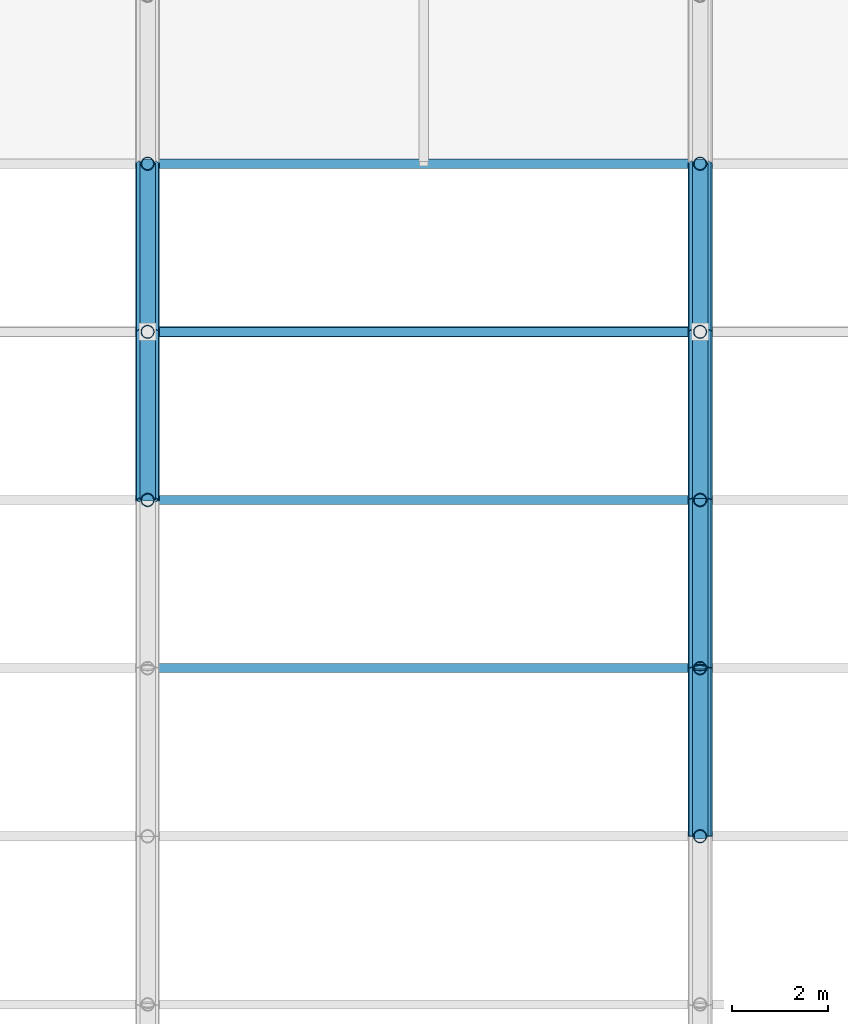
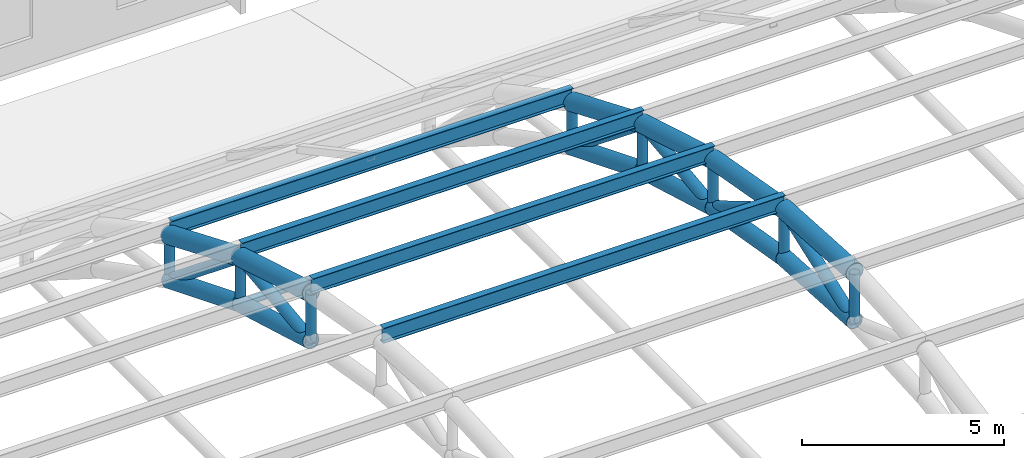
# One storey, part 64 of 154: 31 members.
"""IFC4 building model written with IfcOpenShell, lengths in metres."""

from ifc_helpers import new_model, si_unit, direction, frame, origin, origin_2d, place, context, subcontext, project, spatial, hollow_circle, i_section, extrude, material, material_profile, profile_set, type_object, element, save


model = new_model("IFC4")

# Units and contexts
model_context = context("Model", 3, precision=1e-05, world=origin(), true_north=direction((0.0, 1.0)))
body_context = subcontext(model_context, "Body", "Model", "MODEL_VIEW")
ifc_project = project(units=[si_unit("LENGTHUNIT", "METRE"), si_unit("AREAUNIT", "SQUARE_METRE"), si_unit("VOLUMEUNIT", "CUBIC_METRE"), si_unit("PLANEANGLEUNIT", "RADIAN"), si_unit("MASSUNIT", "GRAM", prefix="KILO")], contexts=[model_context])

# Site, building, storey
site_placement = place(None, origin())
site = spatial("IfcSite", under=ifc_project, at=site_placement, CompositionType="ELEMENT")
building_placement = place(site_placement, origin())
building = spatial("IfcBuilding", under=site, at=building_placement, Name="Ologun Quay Terminus", CompositionType="ELEMENT")
storey_placement = place(building_placement, frame((0.0, 0.0, 13.800048828125)))
storey = spatial("IfcBuildingStorey", under=building, at=storey_placement, Name="L03", CompositionType="ELEMENT", Elevation=13.800048828125)

# Members
ifc_material_1 = material(Name="Steel S355", Category="steel")
ifc_material_profile_1 = material_profile(ifc_material_1, hollow_circle(Radius=0.136474609375, WallThickness=0.010009765625, at=origin_2d()), Name="CHS 273x10")
ifc_profile_set_1 = profile_set([ifc_material_profile_1], Name="Steel S355")
member_type_1 = type_object("IfcMemberType", Name="Arch Truss Vertical Post CHS273", PredefinedType="STRUT", material=ifc_profile_set_1)
member_1_placement = place(storey_placement, frame((115.0, 64.0, 6.435546875), z_axis=(0.0, 0.0, 1.0), x_axis=(1.0, 0.0, 0.0)))
element("IfcMember", 1, at=member_1_placement, inside=storey, type_object=member_type_1, Name="AW2 Arch Web Post 11-N8", PredefinedType="STRUT", context=body_context, shape_type="SweptSolid", body=[
    extrude(hollow_circle(Radius=0.136474609375, WallThickness=0.010009765625, at=origin_2d()), origin(), (0.0, 0.0, 1.0), 1.44873046875),
])
member_2_placement = place(storey_placement, frame((115.0, 67.5, 5.429931640625), z_axis=(0.0, 0.0, 1.0), x_axis=(1.0, 0.0, 0.0)))
element("IfcMember", 2, at=member_2_placement, inside=storey, type_object=member_type_1, Name="AW2 Arch Web Post 11-N9", PredefinedType="STRUT", context=body_context, shape_type="SweptSolid", body=[
    extrude(hollow_circle(Radius=0.136474609375, WallThickness=0.010009765625, at=origin_2d()), origin(), (0.0, 0.0, 1.0), 1.409912109375),
])
member_3_placement = place(storey_placement, frame((115.0, 71.0, 4.022216796875), z_axis=(0.0, 0.0, 1.0), x_axis=(1.0, 0.0, 0.0)))
element("IfcMember", 3, at=member_3_placement, inside=storey, type_object=member_type_1, Name="AW2 Arch Web Post 11-N10", PredefinedType="STRUT", context=body_context, shape_type="SweptSolid", body=[
    extrude(hollow_circle(Radius=0.136474609375, WallThickness=0.010009765625, at=origin_2d()), origin(), (0.0, 0.0, 1.0), 1.35546875),
])
member_4_placement = place(storey_placement, frame((126.5, 57.0, 7.239990234375), z_axis=(0.0, 0.0, 1.0), x_axis=(1.0, 0.0, 0.0)))
element("IfcMember", 4, at=member_4_placement, inside=storey, type_object=member_type_1, Name="AW2 Arch Web Post 12-N6", PredefinedType="STRUT", context=body_context, shape_type="SweptSolid", body=[
    extrude(hollow_circle(Radius=0.136474609375, WallThickness=0.010009765625, at=origin_2d()), origin(), (0.0, 0.0, 1.0), 1.47998046875),
])
member_5_placement = place(storey_placement, frame((126.5, 60.5, 7.038818359375), z_axis=(0.0, 0.0, 1.0), x_axis=(1.0, 0.0, 0.0)))
element("IfcMember", 5, at=member_5_placement, inside=storey, type_object=member_type_1, Name="AW2 Arch Web Post 12-N7", PredefinedType="STRUT", context=body_context, shape_type="SweptSolid", body=[
    extrude(hollow_circle(Radius=0.136474609375, WallThickness=0.010009765625, at=origin_2d()), origin(), (0.0, 0.0, 1.0), 1.47216796875),
])
member_6_placement = place(storey_placement, frame((126.5, 64.0, 6.435546875), z_axis=(0.0, 0.0, 1.0), x_axis=(1.0, 0.0, 0.0)))
element("IfcMember", 6, at=member_6_placement, inside=storey, type_object=member_type_1, Name="AW2 Arch Web Post 12-N8", PredefinedType="STRUT", context=body_context, shape_type="SweptSolid", body=[
    extrude(hollow_circle(Radius=0.136474609375, WallThickness=0.010009765625, at=origin_2d()), origin(), (0.0, 0.0, 1.0), 1.44873046875),
])
member_7_placement = place(storey_placement, frame((126.5, 67.5, 5.429931640625), z_axis=(0.0, 0.0, 1.0), x_axis=(1.0, 0.0, 0.0)))
element("IfcMember", 7, at=member_7_placement, inside=storey, type_object=member_type_1, Name="AW2 Arch Web Post 12-N9", PredefinedType="STRUT", context=body_context, shape_type="SweptSolid", body=[
    extrude(hollow_circle(Radius=0.136474609375, WallThickness=0.010009765625, at=origin_2d()), origin(), (0.0, 0.0, 1.0), 1.409912109375),
])
member_8_placement = place(storey_placement, frame((126.5, 71.0, 4.022216796875), z_axis=(0.0, 0.0, 1.0), x_axis=(1.0, 0.0, 0.0)))
element("IfcMember", 8, at=member_8_placement, inside=storey, type_object=member_type_1, Name="AW2 Arch Web Post 12-N10", PredefinedType="STRUT", context=body_context, shape_type="SweptSolid", body=[
    extrude(hollow_circle(Radius=0.136474609375, WallThickness=0.010009765625, at=origin_2d()), origin(), (0.0, 0.0, 1.0), 1.35546875),
])
ifc_material_2 = material(Name="Steel S355", Category="steel")
ifc_material_profile_2 = material_profile(ifc_material_2, hollow_circle(Radius=0.161865234375, WallThickness=0.010009765625, at=origin_2d()), Name="CHS 323.9x10")
ifc_profile_set_2 = profile_set([ifc_material_profile_2], Name="Steel S355")
member_type_2 = type_object("IfcMemberType", Name="Arch Truss Web Diagonal CHS323", PredefinedType="BRACE", material=ifc_profile_set_2)
member_9_placement = place(storey_placement, frame((115.0, 64.0, 6.435546875), z_axis=(0.0, 0.993394361, 0.114750353084), x_axis=(-1.0, 0.0, 0.0)))
element("IfcMember", 9, at=member_9_placement, inside=storey, type_object=member_type_2, Name="AW1 Arch Web Diagonal 11-P9", PredefinedType="BRACE", context=body_context, shape_type="SweptSolid", body=[
    extrude(hollow_circle(Radius=0.161865234375, WallThickness=0.010009765625, at=origin_2d()), origin(), (0.0, 0.0, 1.0), 3.523193359375),
])
member_10_placement = place(storey_placement, frame((115.0, 67.5, 6.83984375), z_axis=(0.0, 0.77895148125, -0.627084196785), x_axis=(-1.0, 0.0, 0.0)))
element("IfcMember", 10, at=member_10_placement, inside=storey, type_object=member_type_2, Name="AW1 Arch Web Diagonal 11-P10", PredefinedType="BRACE", context=body_context, shape_type="SweptSolid", body=[
    extrude(hollow_circle(Radius=0.161865234375, WallThickness=0.010009765625, at=origin_2d()), origin(), (0.0, 0.0, 1.0), 4.4931640625),
])
member_11_placement = place(storey_placement, frame((126.5, 57.0, 7.239990234375), z_axis=(0.0, 0.939942650142, 0.34133241048), x_axis=(-1.0, 0.0, 0.0)))
element("IfcMember", 11, at=member_11_placement, inside=storey, type_object=member_type_2, Name="AW1 Arch Web Diagonal 12-P7", PredefinedType="BRACE", context=body_context, shape_type="SweptSolid", body=[
    extrude(hollow_circle(Radius=0.161865234375, WallThickness=0.010009765625, at=origin_2d()), origin(), (0.0, 0.0, 1.0), 3.7236328125),
])
member_12_placement = place(storey_placement, frame((126.5, 60.5, 8.510986328125), z_axis=(0.0, 0.860144332958, -0.510050709715), x_axis=(-1.0, 0.0, 0.0)))
element("IfcMember", 12, at=member_12_placement, inside=storey, type_object=member_type_2, Name="AW1 Arch Web Diagonal 12-P8", PredefinedType="BRACE", context=body_context, shape_type="SweptSolid", body=[
    extrude(hollow_circle(Radius=0.161865234375, WallThickness=0.010009765625, at=origin_2d()), origin(), (0.0, 0.0, 1.0), 4.069091796875),
])
member_13_placement = place(storey_placement, frame((126.5, 64.0, 6.435546875), z_axis=(0.0, 0.993394361, 0.114750353084), x_axis=(-1.0, 0.0, 0.0)))
element("IfcMember", 13, at=member_13_placement, inside=storey, type_object=member_type_2, Name="AW1 Arch Web Diagonal 12-P9", PredefinedType="BRACE", context=body_context, shape_type="SweptSolid", body=[
    extrude(hollow_circle(Radius=0.161865234375, WallThickness=0.010009765625, at=origin_2d()), origin(), (0.0, 0.0, 1.0), 3.523193359375),
])
member_14_placement = place(storey_placement, frame((126.5, 67.5, 6.83984375), z_axis=(0.0, 0.77895148125, -0.627084196785), x_axis=(-1.0, 0.0, 0.0)))
element("IfcMember", 14, at=member_14_placement, inside=storey, type_object=member_type_2, Name="AW1 Arch Web Diagonal 12-P10", PredefinedType="BRACE", context=body_context, shape_type="SweptSolid", body=[
    extrude(hollow_circle(Radius=0.161865234375, WallThickness=0.010009765625, at=origin_2d()), origin(), (0.0, 0.0, 1.0), 4.4931640625),
])
ifc_material_3 = material(Name="Steel S355", Category="steel")
ifc_material_profile_3 = material_profile(ifc_material_3, hollow_circle(Radius=0.228515625, WallThickness=0.01611328125, at=origin_2d()), Name="CHS 457x16")
ifc_profile_set_3 = profile_set([ifc_material_profile_3], Name="Steel S355")
member_type_3 = type_object("IfcMemberType", Name="Parabolic Arch Bottom Chord CHS457", PredefinedType="CHORD", material=ifc_profile_set_3)
member_15_placement = place(storey_placement, frame((115.0, 64.0, 6.435546875), z_axis=(0.0, 0.961115578425, -0.276146419331), x_axis=(-1.0, 0.0, 0.0)))
element("IfcMember", 15, at=member_15_placement, inside=storey, type_object=member_type_3, Name="AC2 Arch Bottom Chord 11-P9", PredefinedType="CHORD", context=body_context, shape_type="SweptSolid", body=[
    extrude(hollow_circle(Radius=0.228515625, WallThickness=0.01611328125, at=origin_2d()), origin(), (0.0, 0.0, 1.0), 3.6416015625),
])
member_16_placement = place(storey_placement, frame((115.0, 67.5, 5.429931640625), z_axis=(0.0, 0.92776983497, -0.373152962363), x_axis=(-1.0, 0.0, 0.0)))
element("IfcMember", 16, at=member_16_placement, inside=storey, type_object=member_type_3, Name="AC2 Arch Bottom Chord 11-P10", PredefinedType="CHORD", context=body_context, shape_type="SweptSolid", body=[
    extrude(hollow_circle(Radius=0.228515625, WallThickness=0.01611328125, at=origin_2d()), origin(), (0.0, 0.0, 1.0), 3.7724609375),
])
member_17_placement = place(storey_placement, frame((126.5, 57.0, 7.239990234375), z_axis=(0.0, 0.998352239869, -0.057382969144), x_axis=(-1.0, 0.0, 0.0)))
element("IfcMember", 17, at=member_17_placement, inside=storey, type_object=member_type_3, Name="AC2 Arch Bottom Chord 12-P7", PredefinedType="CHORD", context=body_context, shape_type="SweptSolid", body=[
    extrude(hollow_circle(Radius=0.228515625, WallThickness=0.01611328125, at=origin_2d()), origin(), (0.0, 0.0, 1.0), 3.505859375),
])
member_18_placement = place(storey_placement, frame((126.5, 60.5, 7.038818359375), z_axis=(0.0, 0.985468449185, -0.16985857547), x_axis=(-1.0, 0.0, 0.0)))
element("IfcMember", 18, at=member_18_placement, inside=storey, type_object=member_type_3, Name="AC2 Arch Bottom Chord 12-P8", PredefinedType="CHORD", context=body_context, shape_type="SweptSolid", body=[
    extrude(hollow_circle(Radius=0.228515625, WallThickness=0.01611328125, at=origin_2d()), origin(), (0.0, 0.0, 1.0), 3.551513671875),
])
member_19_placement = place(storey_placement, frame((126.5, 64.0, 6.435546875), z_axis=(0.0, 0.961115578425, -0.276146419331), x_axis=(-1.0, 0.0, 0.0)))
element("IfcMember", 19, at=member_19_placement, inside=storey, type_object=member_type_3, Name="AC2 Arch Bottom Chord 12-P9", PredefinedType="CHORD", context=body_context, shape_type="SweptSolid", body=[
    extrude(hollow_circle(Radius=0.228515625, WallThickness=0.01611328125, at=origin_2d()), origin(), (0.0, 0.0, 1.0), 3.6416015625),
])
member_20_placement = place(storey_placement, frame((126.5, 67.5, 5.429931640625), z_axis=(0.0, 0.92776983497, -0.373152962363), x_axis=(-1.0, 0.0, 0.0)))
element("IfcMember", 20, at=member_20_placement, inside=storey, type_object=member_type_3, Name="AC2 Arch Bottom Chord 12-P10", PredefinedType="CHORD", context=body_context, shape_type="SweptSolid", body=[
    extrude(hollow_circle(Radius=0.228515625, WallThickness=0.01611328125, at=origin_2d()), origin(), (0.0, 0.0, 1.0), 3.7724609375),
])
ifc_material_4 = material(Name="Steel S355", Category="steel")
ifc_material_profile_4 = material_profile(ifc_material_4, hollow_circle(Radius=0.25390625, WallThickness=0.01611328125, at=origin_2d()), Name="CHS 508x16")
ifc_profile_set_4 = profile_set([ifc_material_profile_4], Name="Steel S355")
member_type_4 = type_object("IfcMemberType", Name="Parabolic Arch Top Chord CHS508", PredefinedType="CHORD", material=ifc_profile_set_4)
member_21_placement = place(storey_placement, frame((115.0, 64.0, 7.88427734375), z_axis=(0.0, 0.958244712677, -0.285949419701), x_axis=(-1.0, 0.0, 0.0)))
element("IfcMember", 21, at=member_21_placement, inside=storey, type_object=member_type_4, Name="Arch Top Chord 11-P9", PredefinedType="CHORD", context=body_context, shape_type="SweptSolid", body=[
    extrude(hollow_circle(Radius=0.25390625, WallThickness=0.01611328125, at=origin_2d()), origin(), (0.0, 0.0, 1.0), 3.652587890625),
])
member_22_placement = place(storey_placement, frame((115.0, 67.5, 6.83984375), z_axis=(0.0, 0.922718523726, -0.385474416755), x_axis=(-1.0, 0.0, 0.0)))
element("IfcMember", 22, at=member_22_placement, inside=storey, type_object=member_type_4, Name="Arch Top Chord 11-P10", PredefinedType="CHORD", context=body_context, shape_type="SweptSolid", body=[
    extrude(hollow_circle(Radius=0.25390625, WallThickness=0.01611328125, at=origin_2d()), origin(), (0.0, 0.0, 1.0), 3.793212890625),
])
member_23_placement = place(storey_placement, frame((126.5, 57.0, 8.719970703125), z_axis=(0.0, 0.998222121157, -0.0596036646), x_axis=(-1.0, 0.0, 0.0)))
element("IfcMember", 23, at=member_23_placement, inside=storey, type_object=member_type_4, Name="Arch Top Chord 12-P7", PredefinedType="CHORD", context=body_context, shape_type="SweptSolid", body=[
    extrude(hollow_circle(Radius=0.25390625, WallThickness=0.01611328125, at=origin_2d()), origin(), (0.0, 0.0, 1.0), 3.50634765625),
])
member_24_placement = place(storey_placement, frame((126.5, 60.5, 8.510986328125), z_axis=(0.0, 0.984344289591, -0.176256402859), x_axis=(-1.0, 0.0, 0.0)))
element("IfcMember", 24, at=member_24_placement, inside=storey, type_object=member_type_4, Name="Arch Top Chord 12-P8", PredefinedType="CHORD", context=body_context, shape_type="SweptSolid", body=[
    extrude(hollow_circle(Radius=0.25390625, WallThickness=0.01611328125, at=origin_2d()), origin(), (0.0, 0.0, 1.0), 3.5556640625),
])
member_25_placement = place(storey_placement, frame((126.5, 64.0, 7.88427734375), z_axis=(0.0, 0.958244712677, -0.285949419701), x_axis=(-1.0, 0.0, 0.0)))
element("IfcMember", 25, at=member_25_placement, inside=storey, type_object=member_type_4, Name="Arch Top Chord 12-P9", PredefinedType="CHORD", context=body_context, shape_type="SweptSolid", body=[
    extrude(hollow_circle(Radius=0.25390625, WallThickness=0.01611328125, at=origin_2d()), origin(), (0.0, 0.0, 1.0), 3.652587890625),
])
member_26_placement = place(storey_placement, frame((126.5, 67.5, 6.83984375), z_axis=(0.0, 0.922718523726, -0.385474416755), x_axis=(-1.0, 0.0, 0.0)))
element("IfcMember", 26, at=member_26_placement, inside=storey, type_object=member_type_4, Name="Arch Top Chord 12-P10", PredefinedType="CHORD", context=body_context, shape_type="SweptSolid", body=[
    extrude(hollow_circle(Radius=0.25390625, WallThickness=0.01611328125, at=origin_2d()), origin(), (0.0, 0.0, 1.0), 3.793212890625),
])
ifc_material_5 = material(Name="Steel S355", Category="steel")
ifc_material_profile_5 = material_profile(ifc_material_5, hollow_circle(Radius=0.109619140625, WallThickness=0.008056640625, at=origin_2d()), Name="CHS 219.1x8")
ifc_profile_set_5 = profile_set([ifc_material_profile_5], Name="Steel S355")
member_type_5 = type_object("IfcMemberType", Name="Roof Plan Wind Brace Collector CHS219", PredefinedType="STRUT", material=ifc_profile_set_5)
member_27_placement = place(storey_placement, frame((115.0, 67.5, 5.429931640625), z_axis=(1.0, 0.0, 0.0), x_axis=(0.0, 1.0, 0.0)))
element("IfcMember", 27, at=member_27_placement, inside=storey, type_object=member_type_5, Name="WB2 Collector Strut B11-K9", PredefinedType="STRUT", context=body_context, shape_type="SweptSolid", body=[
    extrude(hollow_circle(Radius=0.109619140625, WallThickness=0.008056640625, at=origin_2d()), origin(), (0.0, 0.0, 1.0), 11.5),
])
ifc_material_6 = material(Name="Steel S355", Category="steel")
ifc_material_profile_6 = material_profile(ifc_material_6, i_section(OverallWidth=0.1904296875, OverallDepth=0.45703125, WebThickness=0.009033203125, FlangeThickness=0.014404296875, at=origin_2d()), Name="UKB 457x191x74")
ifc_profile_set_6 = profile_set([ifc_material_profile_6], Name="Steel S355")
member_type_6 = type_object("IfcMemberType", Name="Train Shed Primary Roof Purlin UKB457", PredefinedType="PURLIN", material=ifc_profile_set_6)
for number, where, z_axis, x_axis, name in (
    (28, (115.0, 60.5, 8.739501953125), (1.0, 0.0, 0.0), (0.0, 1.0, 0.0), "PR1 Roof Purlin B11-N7"),
    (29, (115.0, 64.0, 8.11279296875), (1.0, 0.0, 0.0), (0.0, 1.0, 0.0), "PR1 Roof Purlin B11-N8"),
    (30, (115.0, 67.5, 7.068359375), (1.0, 0.0, 0.0), (0.0, 1.0, 0.0), "PR1 Roof Purlin B11-N9"),
    (31, (115.0, 71.0, 5.606201171875), (1.0, 0.0, 0.0), (0.0, 1.0, 0.0), "PR1 Roof Purlin B11-N10"),
):
    element("IfcMember", number, at=place(storey_placement, frame(where, z_axis=z_axis, x_axis=x_axis)), inside=storey, type_object=member_type_6, Name=name, PredefinedType="PURLIN", context=body_context, shape_type="SweptSolid", body=[
        extrude(i_section(OverallWidth=0.1904296875, OverallDepth=0.45703125, WebThickness=0.009033203125, FlangeThickness=0.014404296875, at=origin_2d()), origin(), (0.0, 0.0, 1.0), 11.5),
    ])

save(model, "model.ifc")
